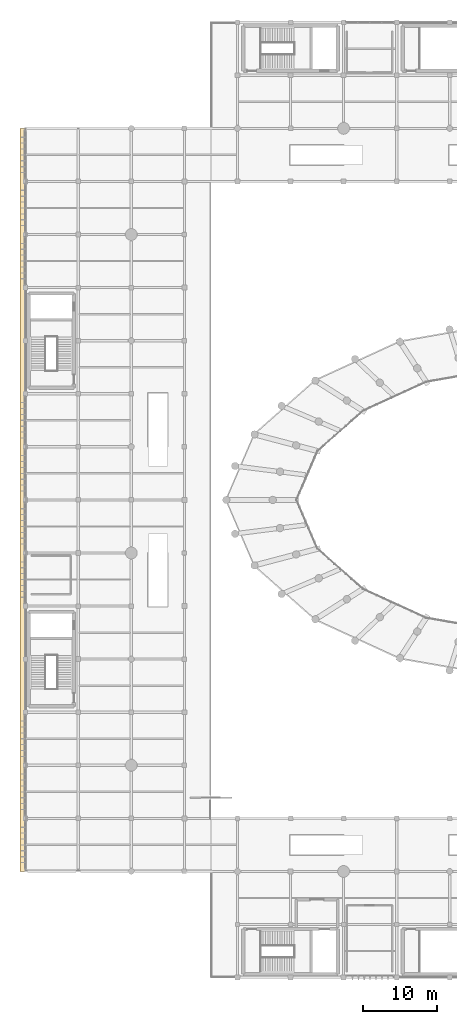
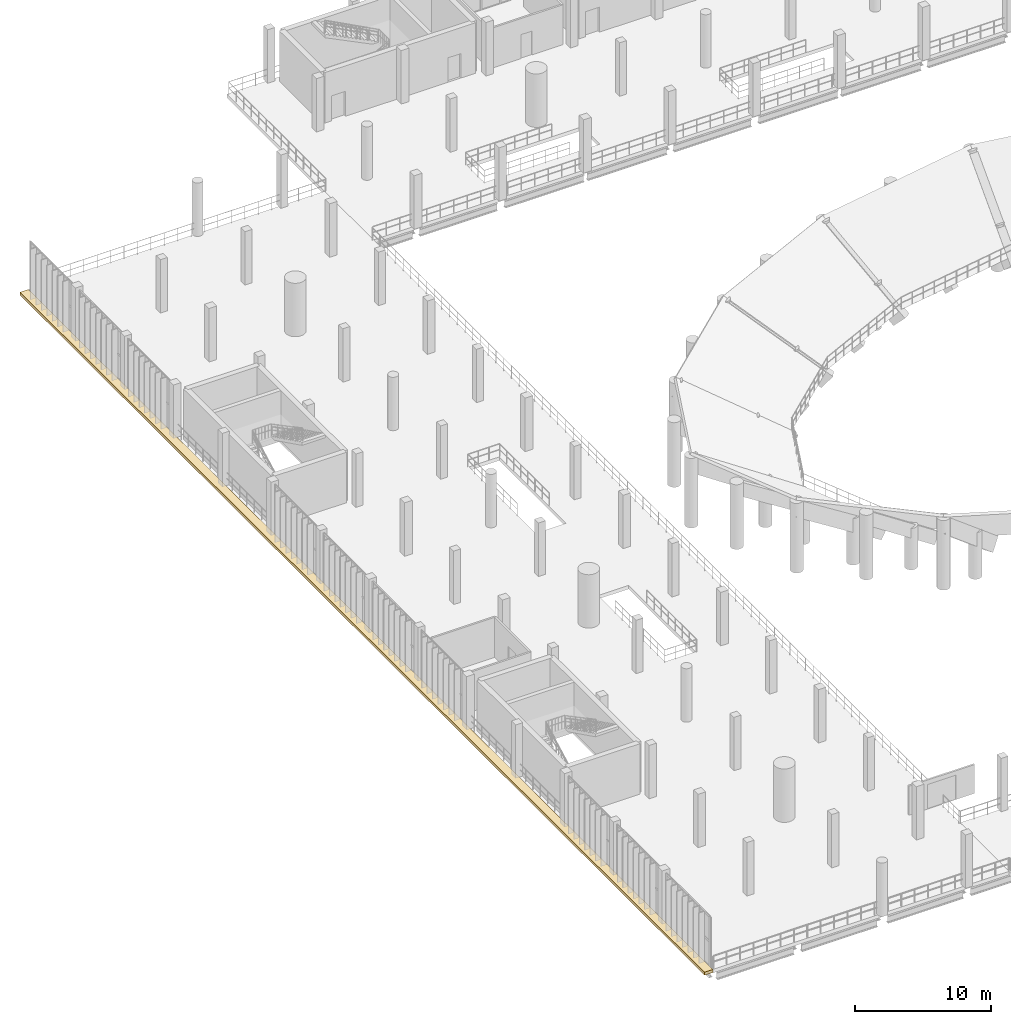
# One storey, part 97 of 105: 1 covering.
"""IFC4 building model written with IfcOpenShell, lengths in metres."""

from ifc_helpers import new_model, si_unit, direction, frame, origin, origin_2d, place, context, subcontext, project, spatial, rectangle, extrude, material, layer, layer_set, type_object, element, save


model = new_model("IFC4")

# Units and contexts
model_context = context("Model", 3, precision=1e-05, world=origin(), true_north=direction((0.0, 1.0)))
body_context = subcontext(model_context, "Body", "Model", "MODEL_VIEW")
ifc_project = project(units=[si_unit("LENGTHUNIT", "METRE"), si_unit("AREAUNIT", "SQUARE_METRE"), si_unit("VOLUMEUNIT", "CUBIC_METRE"), si_unit("PLANEANGLEUNIT", "RADIAN"), si_unit("MASSUNIT", "GRAM", prefix="KILO")], contexts=[model_context])

# Site, building, storey
site_placement = place(None, origin())
site = spatial("IfcSite", under=ifc_project, at=site_placement, CompositionType="ELEMENT")
building_placement = place(site_placement, origin())
building = spatial("IfcBuilding", under=site, at=building_placement, Name="Qandorah Velis Arena", CompositionType="ELEMENT")
storey_placement = place(building_placement, frame((0.0, 0.0, 13.800048828125)))
storey = spatial("IfcBuildingStorey", under=building, at=storey_placement, Name="L03", CompositionType="ELEMENT", Elevation=13.800048828125)

# Covering
ifc_material = material(Name="Precast Riyadh limestone cladding", Category="masonry")
ifc_layer = layer(ifc_material, 0.054931640625)
ifc_layer_set = layer_set([ifc_layer], Name="Precast Riyadh limestone cladding")
covering_type = type_object("IfcCoveringType", Name="ARC-COV-CLAD", PredefinedType="CLADDING", material=ifc_layer_set)
covering_placement = place(storey_placement, frame((-0.340087890625, 64.800048828125, -0.27001953125), z_axis=(0.0, 0.0, 1.0), x_axis=(1.0, 0.0, 0.0)))
element("IfcCovering", 1, at=covering_placement, inside=storey, type_object=covering_type, Name="Sculpted precast solar eyebrow reveal 03", PredefinedType="CLADDING", context=body_context, shape_type="SweptSolid", body=[
    extrude(rectangle(XDim=0.719970703125, YDim=100.800048828125, at=origin_2d()), origin(), (0.0, 0.0, 1.0), 0.260009765625),
])

save(model, "model.ifc")
